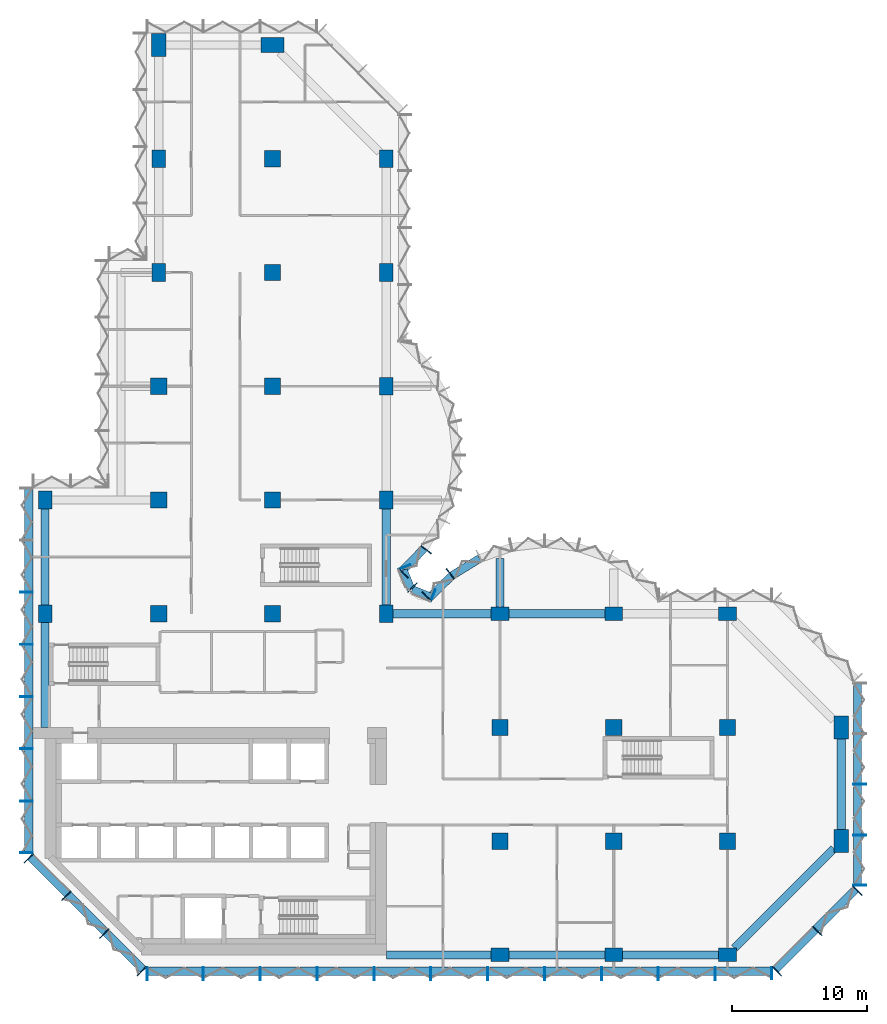
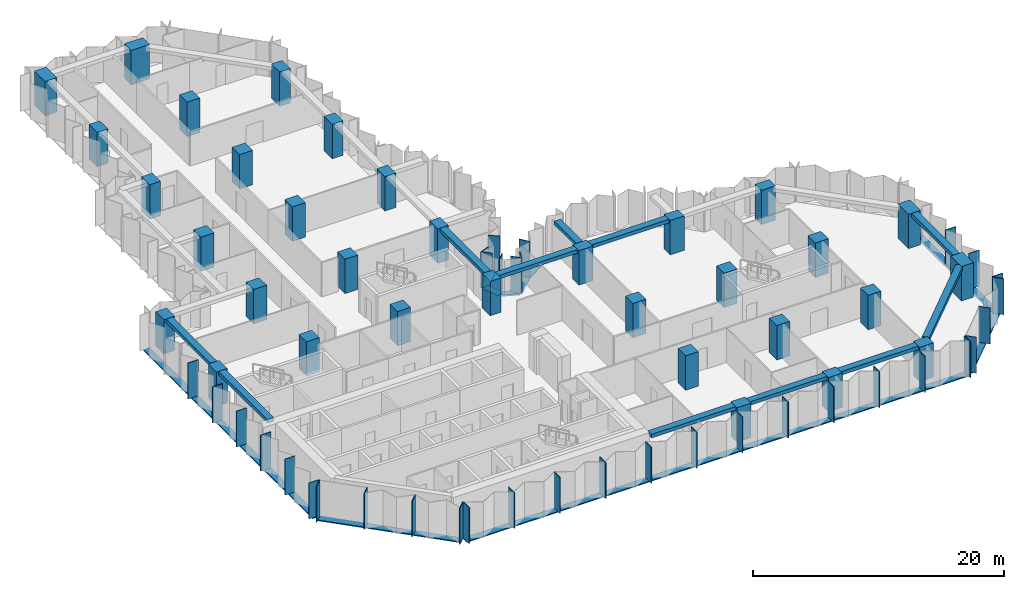
# One storey, part 1 of 11: 45 members, 33 columns, 11 beams, 8 elements without a shape of their own.
"""IFC4 building model written with IfcOpenShell, lengths in metres."""

from ifc_helpers import new_model, si_unit, direction, frame, origin, origin_2d, place, context, subcontext, project, spatial, rectangle, extrude, material, material_profile, profile_set, type_object, element, aggregate, save


model = new_model("IFC4")

# Units and contexts
model_context = context("Model", 3, precision=1e-05, world=origin(), true_north=direction((0.0, 1.0)))
body_context = subcontext(model_context, "Body", "Model", "MODEL_VIEW")
ifc_project = project(units=[si_unit("LENGTHUNIT", "METRE"), si_unit("AREAUNIT", "SQUARE_METRE"), si_unit("VOLUMEUNIT", "CUBIC_METRE"), si_unit("PLANEANGLEUNIT", "RADIAN"), si_unit("MASSUNIT", "GRAM", prefix="KILO")], contexts=[model_context])

# Site, building, storey
site_placement = place(None, origin())
site = spatial("IfcSite", under=ifc_project, at=site_placement, CompositionType="ELEMENT")
building_placement = place(site_placement, origin())
building = spatial("IfcBuilding", under=site, at=building_placement, Name="Brevane Broadcast Tower", CompositionType="ELEMENT")
storey_placement = place(building_placement, frame((0.0, 0.0, 142.10009765625)))
storey = spatial("IfcBuildingStorey", under=building, at=storey_placement, Name="L35", CompositionType="ELEMENT", Elevation=142.10009765625)

# Columns
ifc_material_1 = material(Name="Concrete C60/75", Category="concrete")
ifc_material_profile_1 = material_profile(ifc_material_1, rectangle(XDim=1.0, YDim=1.300048828125, at=origin_2d()), Name="RC 1000x1300")
ifc_profile_set_1 = profile_set([ifc_material_profile_1], Name="Concrete C60/75")
column_type_1 = type_object("IfcColumnType", Name="RC COLUMN EDGE 1000x1300 C60/75", PredefinedType="COLUMN", material=ifc_profile_set_1)
for number, where, z_axis, x_axis, name in (
    (1, (0.0, 25.199951171875, 0.0), (0.0, 0.0, 1.0), (1.0, 0.0, 0.0), "CE8 1/D"),
    (2, (0.0, 33.60009765625, 0.0), (0.0, 0.0, 1.0), (1.0, 0.0, 0.0), "CE8 1/E"),
    (3, (8.39990234375, 50.39990234375, 0.0), (0.0, 0.0, 1.0), (1.0, 0.0, 0.0), "CE8 2/G"),
    (4, (8.39990234375, 58.800048828125, 0.0), (0.0, 0.0, 1.0), (1.0, 0.0, 0.0), "CE8 2/H"),
    (5, (25.199951171875, 25.199951171875, 0.0), (0.0, 0.0, 1.0), (1.0, 0.0, 0.0), "CE8 4/D"),
    (6, (25.199951171875, 33.60009765625, 0.0), (0.0, 0.0, 1.0), (1.0, 0.0, 0.0), "CE8 4/E"),
    (7, (25.199951171875, 42.0, 0.0), (0.0, 0.0, 1.0), (1.0, 0.0, 0.0), "CE8 4/F"),
    (8, (25.199951171875, 50.39990234375, 0.0), (0.0, 0.0, 1.0), (1.0, 0.0, 0.0), "CE8 4/G"),
    (9, (25.199951171875, 58.800048828125, 0.0), (0.0, 0.0, 1.0), (1.0, 0.0, 0.0), "CE8 4/H"),
    (10, (33.60009765625, 0.0, 0.0), (0.0, 0.0, 1.0), (0.0, 1.0, 0.0), "CE8 5/A"),
    (11, (33.60009765625, 25.199951171875, 0.0), (0.0, 0.0, 1.0), (0.0, 1.0, 0.0), "CE8 5/D"),
    (12, (42.0, 0.0, 0.0), (0.0, 0.0, 1.0), (0.0, 1.0, 0.0), "CE8 6/A"),
    (13, (42.0, 25.199951171875, 0.0), (0.0, 0.0, 1.0), (0.0, 1.0, 0.0), "CE8 6/D"),
    (14, (50.39990234375, 0.0, 0.0), (0.0, 0.0, 1.0), (0.0, 1.0, 0.0), "CE8 7/A"),
    (15, (50.39990234375, 25.199951171875, 0.0), (0.0, 0.0, 1.0), (0.0, 1.0, 0.0), "CE8 7/D"),
):
    element("IfcColumn", number, at=place(storey_placement, frame(where, z_axis=z_axis, x_axis=x_axis)), inside=storey, type_object=column_type_1, Name=name, PredefinedType="COLUMN", context=body_context, shape_type="SweptSolid", body=[
        extrude(rectangle(XDim=1.0, YDim=1.300048828125, at=origin_2d()), origin(), (0.0, 0.0, 1.0), 3.349853515625),
    ])
ifc_material_profile_2 = material_profile(ifc_material_1, rectangle(XDim=1.199951171875, YDim=1.199951171875, at=origin_2d()), Name="RC 1200x1200")
ifc_profile_set_2 = profile_set([ifc_material_profile_2], Name="Concrete C60/75")
column_type_2 = type_object("IfcColumnType", Name="RC COLUMN INTERIOR 1200x1200 C60/75", PredefinedType="COLUMN", material=ifc_profile_set_2)
for number, where, z_axis, x_axis, name in (
    (16, (8.39990234375, 25.199951171875, 0.0), (0.0, 0.0, 1.0), (1.0, 0.0, 0.0), "CI9 2/D"),
    (17, (8.39990234375, 33.60009765625, 0.0), (0.0, 0.0, 1.0), (1.0, 0.0, 0.0), "CI9 2/E"),
    (18, (8.39990234375, 42.0, 0.0), (0.0, 0.0, 1.0), (1.0, 0.0, 0.0), "CI9 2/F"),
    (19, (16.800048828125, 25.199951171875, 0.0), (0.0, 0.0, 1.0), (1.0, 0.0, 0.0), "CI9 3/D"),
    (20, (16.800048828125, 33.60009765625, 0.0), (0.0, 0.0, 1.0), (1.0, 0.0, 0.0), "CI9 3/E"),
    (21, (16.800048828125, 42.0, 0.0), (0.0, 0.0, 1.0), (1.0, 0.0, 0.0), "CI9 3/F"),
    (22, (16.800048828125, 50.39990234375, 0.0), (0.0, 0.0, 1.0), (1.0, 0.0, 0.0), "CI9 3/G"),
    (23, (16.800048828125, 58.800048828125, 0.0), (0.0, 0.0, 1.0), (1.0, 0.0, 0.0), "CI9 3/H"),
    (24, (33.60009765625, 8.39990234375, 0.0), (0.0, 0.0, 1.0), (1.0, 0.0, 0.0), "CI9 5/B"),
    (25, (33.60009765625, 16.800048828125, 0.0), (0.0, 0.0, 1.0), (1.0, 0.0, 0.0), "CI9 5/C"),
    (26, (42.0, 8.39990234375, 0.0), (0.0, 0.0, 1.0), (1.0, 0.0, 0.0), "CI9 6/B"),
    (27, (42.0, 16.800048828125, 0.0), (0.0, 0.0, 1.0), (1.0, 0.0, 0.0), "CI9 6/C"),
    (28, (50.39990234375, 8.39990234375, 0.0), (0.0, 0.0, 1.0), (1.0, 0.0, 0.0), "CI9 7/B"),
    (29, (50.39990234375, 16.800048828125, 0.0), (0.0, 0.0, 1.0), (1.0, 0.0, 0.0), "CI9 7/C"),
):
    element("IfcColumn", number, at=place(storey_placement, frame(where, z_axis=z_axis, x_axis=x_axis)), inside=storey, type_object=column_type_2, Name=name, PredefinedType="COLUMN", context=body_context, shape_type="SweptSolid", body=[
        extrude(rectangle(XDim=1.199951171875, YDim=1.199951171875, at=origin_2d()), origin(), (0.0, 0.0, 1.0), 3.349853515625),
    ])
ifc_material_profile_3 = material_profile(ifc_material_1, rectangle(XDim=1.10009765625, YDim=1.699951171875, at=origin_2d()), Name="RC 1100x1700")
ifc_profile_set_3 = profile_set([ifc_material_profile_3], Name="Concrete C60/75")
column_type_3 = type_object("IfcColumnType", Name="RC COLUMN WING-END 1100x1700 C60/75", PredefinedType="COLUMN", material=ifc_profile_set_3)
for number, where, z_axis, x_axis, name in (
    (30, (8.39990234375, 67.199951171875, 0.0), (0.0, 0.0, 1.0), (1.0, 0.0, 0.0), "CW10 2/I"),
    (31, (16.800048828125, 67.199951171875, 0.0), (0.0, 0.0, 1.0), (0.0, 1.0, 0.0), "CW10 3/I"),
    (32, (58.800048828125, 8.39990234375, 0.0), (0.0, 0.0, 1.0), (1.0, 0.0, 0.0), "CW10 8/B"),
    (33, (58.800048828125, 16.800048828125, 0.0), (0.0, 0.0, 1.0), (1.0, 0.0, 0.0), "CW10 8/C"),
):
    element("IfcColumn", number, at=place(storey_placement, frame(where, z_axis=z_axis, x_axis=x_axis)), inside=storey, type_object=column_type_3, Name=name, PredefinedType="COLUMN", context=body_context, shape_type="SweptSolid", body=[
        extrude(rectangle(XDim=1.10009765625, YDim=1.699951171875, at=origin_2d()), origin(), (0.0, 0.0, 1.0), 3.349853515625),
    ])

# Curtain wall, members
ifc_material_2 = material(Name="Aluminium 6063-T6 bronze anodised", Category="aluminium")
curtain_wall_type = type_object("IfcCurtainWallType", Name="CW-1 curtain wall", PredefinedType="NOTDEFINED", material=ifc_material_2)
curtain_wall_1_placement = place(storey_placement, origin())
curtain_wall_1 = element("IfcCurtainWall", 34, at=curtain_wall_1_placement, inside=storey, type_object=curtain_wall_type, Name="CW-1 typical tilted unit L35 south face", PredefinedType="NOTDEFINED")
ifc_material_profile_4 = material_profile(ifc_material_2, rectangle(XDim=0.949951171875, YDim=0.070068359375, at=origin_2d()), Name="RECT 70x950")
ifc_profile_set_4 = profile_set([ifc_material_profile_4], Name="Aluminium 6063-T6 bronze anodised")
member_type_1 = type_object("IfcMemberType", Name="CW-1 mullion 70x950", PredefinedType="MULLION", material=ifc_profile_set_4)
member_1_placement = place(storey_placement, frame((7.534912109375, -1.375, -0.150146484375), z_axis=(0.0, 0.0, 1.0), x_axis=(0.0, 1.0, 0.0)))
member_1 = element("IfcMember", 35, at=member_1_placement, type_object=member_type_1, Name="CW-1 mullion", PredefinedType="MULLION", context=body_context, shape_type="SweptSolid", body=[
    extrude(rectangle(XDim=0.949951171875, YDim=0.070068359375, at=origin_2d()), origin(), (0.0, 0.0, 1.0), 3.5),
])
member_2_placement = place(storey_placement, frame((11.699951171875, -1.375, -0.150146484375), z_axis=(0.0, 0.0, 1.0), x_axis=(0.0, 1.0, 0.0)))
member_2 = element("IfcMember", 36, at=member_2_placement, type_object=member_type_1, Name="CW-1 mullion", PredefinedType="MULLION", context=body_context, shape_type="SweptSolid", body=[
    extrude(rectangle(XDim=0.949951171875, YDim=0.070068359375, at=origin_2d()), origin(), (0.0, 0.0, 1.0), 3.5),
])
member_3_placement = place(storey_placement, frame((15.89990234375, -1.375, -0.150146484375), z_axis=(0.0, 0.0, 1.0), x_axis=(0.0, 1.0, 0.0)))
member_3 = element("IfcMember", 37, at=member_3_placement, type_object=member_type_1, Name="CW-1 mullion", PredefinedType="MULLION", context=body_context, shape_type="SweptSolid", body=[
    extrude(rectangle(XDim=0.949951171875, YDim=0.070068359375, at=origin_2d()), origin(), (0.0, 0.0, 1.0), 3.5),
])
member_4_placement = place(storey_placement, frame((20.10009765625, -1.375, -0.150146484375), z_axis=(0.0, 0.0, 1.0), x_axis=(0.0, 1.0, 0.0)))
member_4 = element("IfcMember", 38, at=member_4_placement, type_object=member_type_1, Name="CW-1 mullion", PredefinedType="MULLION", context=body_context, shape_type="SweptSolid", body=[
    extrude(rectangle(XDim=0.949951171875, YDim=0.070068359375, at=origin_2d()), origin(), (0.0, 0.0, 1.0), 3.5),
])
member_5_placement = place(storey_placement, frame((24.300048828125, -1.375, -0.150146484375), z_axis=(0.0, 0.0, 1.0), x_axis=(0.0, 1.0, 0.0)))
member_5 = element("IfcMember", 39, at=member_5_placement, type_object=member_type_1, Name="CW-1 mullion", PredefinedType="MULLION", context=body_context, shape_type="SweptSolid", body=[
    extrude(rectangle(XDim=0.949951171875, YDim=0.070068359375, at=origin_2d()), origin(), (0.0, 0.0, 1.0), 3.5),
])
member_6_placement = place(storey_placement, frame((28.5, -1.375, -0.150146484375), z_axis=(0.0, 0.0, 1.0), x_axis=(0.0, 1.0, 0.0)))
member_6 = element("IfcMember", 40, at=member_6_placement, type_object=member_type_1, Name="CW-1 mullion", PredefinedType="MULLION", context=body_context, shape_type="SweptSolid", body=[
    extrude(rectangle(XDim=0.949951171875, YDim=0.070068359375, at=origin_2d()), origin(), (0.0, 0.0, 1.0), 3.5),
])
member_7_placement = place(storey_placement, frame((32.699951171875, -1.375, -0.150146484375), z_axis=(0.0, 0.0, 1.0), x_axis=(0.0, 1.0, 0.0)))
member_7 = element("IfcMember", 41, at=member_7_placement, type_object=member_type_1, Name="CW-1 mullion", PredefinedType="MULLION", context=body_context, shape_type="SweptSolid", body=[
    extrude(rectangle(XDim=0.949951171875, YDim=0.070068359375, at=origin_2d()), origin(), (0.0, 0.0, 1.0), 3.5),
])
member_8_placement = place(storey_placement, frame((36.89990234375, -1.375, -0.150146484375), z_axis=(0.0, 0.0, 1.0), x_axis=(0.0, 1.0, 0.0)))
member_8 = element("IfcMember", 42, at=member_8_placement, type_object=member_type_1, Name="CW-1 mullion", PredefinedType="MULLION", context=body_context, shape_type="SweptSolid", body=[
    extrude(rectangle(XDim=0.949951171875, YDim=0.070068359375, at=origin_2d()), origin(), (0.0, 0.0, 1.0), 3.5),
])
member_9_placement = place(storey_placement, frame((41.10009765625, -1.375, -0.150146484375), z_axis=(0.0, 0.0, 1.0), x_axis=(0.0, 1.0, 0.0)))
member_9 = element("IfcMember", 43, at=member_9_placement, type_object=member_type_1, Name="CW-1 mullion", PredefinedType="MULLION", context=body_context, shape_type="SweptSolid", body=[
    extrude(rectangle(XDim=0.949951171875, YDim=0.070068359375, at=origin_2d()), origin(), (0.0, 0.0, 1.0), 3.5),
])
member_10_placement = place(storey_placement, frame((45.300048828125, -1.375, -0.150146484375), z_axis=(0.0, 0.0, 1.0), x_axis=(0.0, 1.0, 0.0)))
member_10 = element("IfcMember", 44, at=member_10_placement, type_object=member_type_1, Name="CW-1 mullion", PredefinedType="MULLION", context=body_context, shape_type="SweptSolid", body=[
    extrude(rectangle(XDim=0.949951171875, YDim=0.070068359375, at=origin_2d()), origin(), (0.0, 0.0, 1.0), 3.5),
])
member_11_placement = place(storey_placement, frame((49.5, -1.375, -0.150146484375), z_axis=(0.0, 0.0, 1.0), x_axis=(0.0, 1.0, 0.0)))
member_11 = element("IfcMember", 45, at=member_11_placement, type_object=member_type_1, Name="CW-1 mullion", PredefinedType="MULLION", context=body_context, shape_type="SweptSolid", body=[
    extrude(rectangle(XDim=0.949951171875, YDim=0.070068359375, at=origin_2d()), origin(), (0.0, 0.0, 1.0), 3.5),
])
member_12_placement = place(storey_placement, frame((53.6650390625, -1.375, -0.150146484375), z_axis=(0.0, 0.0, 1.0), x_axis=(0.0, 1.0, 0.0)))
member_12 = element("IfcMember", 46, at=member_12_placement, type_object=member_type_1, Name="CW-1 mullion", PredefinedType="MULLION", context=body_context, shape_type="SweptSolid", body=[
    extrude(rectangle(XDim=0.949951171875, YDim=0.070068359375, at=origin_2d()), origin(), (0.0, 0.0, 1.0), 3.5),
])

curtain_wall_2_placement = place(storey_placement, origin())
curtain_wall_2 = element("IfcCurtainWall", 47, at=curtain_wall_2_placement, inside=storey, type_object=curtain_wall_type, Name="CW-1 typical tilted unit L35 south-east chamfer", PredefinedType="NOTDEFINED")
member_13_placement = place(storey_placement, frame((54.060546875, -1.211181640625, -0.150146484375), z_axis=(0.0, 0.0, 1.0), x_axis=(-0.707106781187, 0.707106781187, 0.0)))
member_13 = element("IfcMember", 48, at=member_13_placement, type_object=member_type_1, Name="CW-1 mullion", PredefinedType="MULLION", context=body_context, shape_type="SweptSolid", body=[
    extrude(rectangle(XDim=0.949951171875, YDim=0.070068359375, at=origin_2d()), origin(), (0.0, 0.0, 1.0), 3.5),
])
member_14_placement = place(storey_placement, frame((57.035888671875, 1.76416015625, -0.150146484375), z_axis=(0.0, 0.0, 1.0), x_axis=(-0.707106781187, 0.707106781187, 0.0)))
member_14 = element("IfcMember", 49, at=member_14_placement, type_object=member_type_1, Name="CW-1 mullion", PredefinedType="MULLION", context=body_context, shape_type="SweptSolid", body=[
    extrude(rectangle(XDim=0.949951171875, YDim=0.070068359375, at=origin_2d()), origin(), (0.0, 0.0, 1.0), 3.5),
])
member_15_placement = place(storey_placement, frame((60.01123046875, 4.7392578125, -0.150146484375), z_axis=(0.0, 0.0, 1.0), x_axis=(-0.707106781187, 0.707106781187, 0.0)))
member_15 = element("IfcMember", 50, at=member_15_placement, type_object=member_type_1, Name="CW-1 mullion", PredefinedType="MULLION", context=body_context, shape_type="SweptSolid", body=[
    extrude(rectangle(XDim=0.949951171875, YDim=0.070068359375, at=origin_2d()), origin(), (0.0, 0.0, 1.0), 3.5),
])

curtain_wall_3_placement = place(storey_placement, origin())
curtain_wall_3 = element("IfcCurtainWall", 51, at=curtain_wall_3_placement, inside=storey, type_object=curtain_wall_type, Name="CW-1 typical tilted unit L35 east end", PredefinedType="NOTDEFINED")
member_16_placement = place(storey_placement, frame((60.175048828125, 5.135009765625, -0.150146484375), z_axis=(0.0, 0.0, 1.0), x_axis=(-1.0, 0.0, 0.0)))
member_16 = element("IfcMember", 52, at=member_16_placement, type_object=member_type_1, Name="CW-1 mullion", PredefinedType="MULLION", context=body_context, shape_type="SweptSolid", body=[
    extrude(rectangle(XDim=0.949951171875, YDim=0.070068359375, at=origin_2d()), origin(), (0.0, 0.0, 1.0), 3.5),
])
member_17_placement = place(storey_placement, frame((60.175048828125, 8.85009765625, -0.150146484375), z_axis=(0.0, 0.0, 1.0), x_axis=(-1.0, 0.0, 0.0)))
member_17 = element("IfcMember", 53, at=member_17_placement, type_object=member_type_1, Name="CW-1 mullion", PredefinedType="MULLION", context=body_context, shape_type="SweptSolid", body=[
    extrude(rectangle(XDim=0.949951171875, YDim=0.070068359375, at=origin_2d()), origin(), (0.0, 0.0, 1.0), 3.5),
])
member_18_placement = place(storey_placement, frame((60.175048828125, 12.60009765625, -0.150146484375), z_axis=(0.0, 0.0, 1.0), x_axis=(-1.0, 0.0, 0.0)))
member_18 = element("IfcMember", 54, at=member_18_placement, type_object=member_type_1, Name="CW-1 mullion", PredefinedType="MULLION", context=body_context, shape_type="SweptSolid", body=[
    extrude(rectangle(XDim=0.949951171875, YDim=0.070068359375, at=origin_2d()), origin(), (0.0, 0.0, 1.0), 3.5),
])

curtain_wall_4_placement = place(storey_placement, origin())
curtain_wall_4 = element("IfcCurtainWall", 55, at=curtain_wall_4_placement, inside=storey, type_object=curtain_wall_type, Name="CW-1 typical tilted unit L35 east bow", PredefinedType="NOTDEFINED")
member_19_placement = place(storey_placement, frame((29.927978515625, 28.1455078125, -0.150146484375), z_axis=(0.0, 0.0, 1.0), x_axis=(0.614769738617, -0.788706642853, 0.0)))
member_19 = element("IfcMember", 56, at=member_19_placement, type_object=member_type_1, Name="CW-1 mullion", PredefinedType="MULLION", context=body_context, shape_type="SweptSolid", body=[
    extrude(rectangle(XDim=0.949951171875, YDim=0.070068359375, at=origin_2d()), origin(), (0.0, 0.0, 1.0), 3.5),
])
member_20_placement = place(storey_placement, frame((28.194091796875, 26.465087890625, -0.150146484375), z_axis=(0.0, 0.0, 1.0), x_axis=(0.696811941702, -0.717253872699, 0.0)))
member_20 = element("IfcMember", 57, at=member_20_placement, type_object=member_type_1, Name="CW-1 mullion", PredefinedType="MULLION", context=body_context, shape_type="SweptSolid", body=[
    extrude(rectangle(XDim=0.949951171875, YDim=0.070068359375, at=origin_2d()), origin(), (0.0, 0.0, 1.0), 3.5),
])

curtain_wall_5_placement = place(storey_placement, origin())
curtain_wall_5 = element("IfcCurtainWall", 58, at=curtain_wall_5_placement, inside=storey, type_object=curtain_wall_type, Name="CW-1 typical tilted unit L35 inner corner", PredefinedType="NOTDEFINED")
member_21_placement = place(storey_placement, frame((28.6494140625, 26.55224609375, -0.150146484375), z_axis=(0.0, 0.0, 1.0), x_axis=(-0.382683612978, -0.923879457699, 0.0)))
member_21 = element("IfcMember", 59, at=member_21_placement, type_object=member_type_1, Name="CW-1 mullion", PredefinedType="MULLION", context=body_context, shape_type="SweptSolid", body=[
    extrude(rectangle(XDim=0.949951171875, YDim=0.070068359375, at=origin_2d()), origin(), (0.0, 0.0, 1.0), 3.5),
])
member_22_placement = place(storey_placement, frame((27.138916015625, 27.138916015625, -0.150146484375), z_axis=(0.0, 0.0, 1.0), x_axis=(-0.707106781187, -0.707106781187, 0.0)))
member_22 = element("IfcMember", 60, at=member_22_placement, type_object=member_type_1, Name="CW-1 mullion", PredefinedType="MULLION", context=body_context, shape_type="SweptSolid", body=[
    extrude(rectangle(XDim=0.949951171875, YDim=0.070068359375, at=origin_2d()), origin(), (0.0, 0.0, 1.0), 3.5),
])
member_23_placement = place(storey_placement, frame((26.55224609375, 28.6494140625, -0.150146484375), z_axis=(0.0, 0.0, 1.0), x_axis=(-0.923879457699, -0.382683612978, 0.0)))
member_23 = element("IfcMember", 61, at=member_23_placement, type_object=member_type_1, Name="CW-1 mullion", PredefinedType="MULLION", context=body_context, shape_type="SweptSolid", body=[
    extrude(rectangle(XDim=0.949951171875, YDim=0.070068359375, at=origin_2d()), origin(), (0.0, 0.0, 1.0), 3.5),
])

curtain_wall_6_placement = place(storey_placement, origin())
curtain_wall_6 = element("IfcCurtainWall", 62, at=curtain_wall_6_placement, inside=storey, type_object=curtain_wall_type, Name="CW-1 typical tilted unit L35 north bow", PredefinedType="NOTDEFINED")
member_24_placement = place(storey_placement, frame((26.465087890625, 28.194091796875, -0.150146484375), z_axis=(0.0, 0.0, 1.0), x_axis=(-0.717253872699, 0.696811941702, 0.0)))
member_24 = element("IfcMember", 63, at=member_24_placement, type_object=member_type_1, Name="CW-1 mullion", PredefinedType="MULLION", context=body_context, shape_type="SweptSolid", body=[
    extrude(rectangle(XDim=0.949951171875, YDim=0.070068359375, at=origin_2d()), origin(), (0.0, 0.0, 1.0), 3.5),
])
member_25_placement = place(storey_placement, frame((28.1455078125, 29.927978515625, -0.150146484375), z_axis=(0.0, 0.0, 1.0), x_axis=(-0.788706642853, 0.614769738617, 0.0)))
member_25 = element("IfcMember", 64, at=member_25_placement, type_object=member_type_1, Name="CW-1 mullion", PredefinedType="MULLION", context=body_context, shape_type="SweptSolid", body=[
    extrude(rectangle(XDim=0.949951171875, YDim=0.070068359375, at=origin_2d()), origin(), (0.0, 0.0, 1.0), 3.5),
])

curtain_wall_7_placement = place(storey_placement, origin())
curtain_wall_7 = element("IfcCurtainWall", 65, at=curtain_wall_7_placement, inside=storey, type_object=curtain_wall_type, Name="CW-1 typical tilted unit L35 west face", PredefinedType="NOTDEFINED")
member_26_placement = place(storey_placement, frame((-1.375, 26.78564453125, -0.150146484375), z_axis=(0.0, 0.0, 1.0), x_axis=(1.0, 0.0, 0.0)))
member_26 = element("IfcMember", 66, at=member_26_placement, type_object=member_type_1, Name="CW-1 mullion", PredefinedType="MULLION", context=body_context, shape_type="SweptSolid", body=[
    extrude(rectangle(XDim=0.949951171875, YDim=0.070068359375, at=origin_2d()), origin(), (0.0, 0.0, 1.0), 3.5),
])
member_27_placement = place(storey_placement, frame((-1.375, 22.928466796875, -0.150146484375), z_axis=(0.0, 0.0, 1.0), x_axis=(1.0, 0.0, 0.0)))
member_27 = element("IfcMember", 67, at=member_27_placement, type_object=member_type_1, Name="CW-1 mullion", PredefinedType="MULLION", context=body_context, shape_type="SweptSolid", body=[
    extrude(rectangle(XDim=0.949951171875, YDim=0.070068359375, at=origin_2d()), origin(), (0.0, 0.0, 1.0), 3.5),
])
member_28_placement = place(storey_placement, frame((-1.375, 19.071533203125, -0.150146484375), z_axis=(0.0, 0.0, 1.0), x_axis=(1.0, 0.0, 0.0)))
member_28 = element("IfcMember", 68, at=member_28_placement, type_object=member_type_1, Name="CW-1 mullion", PredefinedType="MULLION", context=body_context, shape_type="SweptSolid", body=[
    extrude(rectangle(XDim=0.949951171875, YDim=0.070068359375, at=origin_2d()), origin(), (0.0, 0.0, 1.0), 3.5),
])
member_29_placement = place(storey_placement, frame((-1.375, 15.21435546875, -0.150146484375), z_axis=(0.0, 0.0, 1.0), x_axis=(1.0, 0.0, 0.0)))
member_29 = element("IfcMember", 69, at=member_29_placement, type_object=member_type_1, Name="CW-1 mullion", PredefinedType="MULLION", context=body_context, shape_type="SweptSolid", body=[
    extrude(rectangle(XDim=0.949951171875, YDim=0.070068359375, at=origin_2d()), origin(), (0.0, 0.0, 1.0), 3.5),
])
member_30_placement = place(storey_placement, frame((-1.375, 11.357177734375, -0.150146484375), z_axis=(0.0, 0.0, 1.0), x_axis=(1.0, 0.0, 0.0)))
member_30 = element("IfcMember", 70, at=member_30_placement, type_object=member_type_1, Name="CW-1 mullion", PredefinedType="MULLION", context=body_context, shape_type="SweptSolid", body=[
    extrude(rectangle(XDim=0.949951171875, YDim=0.070068359375, at=origin_2d()), origin(), (0.0, 0.0, 1.0), 3.5),
])
member_31_placement = place(storey_placement, frame((-1.375, 7.534912109375, -0.150146484375), z_axis=(0.0, 0.0, 1.0), x_axis=(1.0, 0.0, 0.0)))
member_31 = element("IfcMember", 71, at=member_31_placement, type_object=member_type_1, Name="CW-1 mullion", PredefinedType="MULLION", context=body_context, shape_type="SweptSolid", body=[
    extrude(rectangle(XDim=0.949951171875, YDim=0.070068359375, at=origin_2d()), origin(), (0.0, 0.0, 1.0), 3.5),
])

curtain_wall_8_placement = place(storey_placement, origin())
curtain_wall_8 = element("IfcCurtainWall", 72, at=curtain_wall_8_placement, inside=storey, type_object=curtain_wall_type, Name="CW-1 typical tilted unit L35 south-west chamfer", PredefinedType="NOTDEFINED")
member_32_placement = place(storey_placement, frame((-1.211181640625, 7.139404296875, -0.150146484375), z_axis=(0.0, 0.0, 1.0), x_axis=(0.707106781187, 0.707106781187, 0.0)))
member_32 = element("IfcMember", 73, at=member_32_placement, type_object=member_type_1, Name="CW-1 mullion", PredefinedType="MULLION", context=body_context, shape_type="SweptSolid", body=[
    extrude(rectangle(XDim=0.949951171875, YDim=0.070068359375, at=origin_2d()), origin(), (0.0, 0.0, 1.0), 3.5),
])
member_33_placement = place(storey_placement, frame((1.564208984375, 4.364013671875, -0.150146484375), z_axis=(0.0, 0.0, 1.0), x_axis=(0.707106781187, 0.707106781187, 0.0)))
member_33 = element("IfcMember", 74, at=member_33_placement, type_object=member_type_1, Name="CW-1 mullion", PredefinedType="MULLION", context=body_context, shape_type="SweptSolid", body=[
    extrude(rectangle(XDim=0.949951171875, YDim=0.070068359375, at=origin_2d()), origin(), (0.0, 0.0, 1.0), 3.5),
])
member_34_placement = place(storey_placement, frame((4.364013671875, 1.564208984375, -0.150146484375), z_axis=(0.0, 0.0, 1.0), x_axis=(0.707106781187, 0.707106781187, 0.0)))
member_34 = element("IfcMember", 75, at=member_34_placement, type_object=member_type_1, Name="CW-1 mullion", PredefinedType="MULLION", context=body_context, shape_type="SweptSolid", body=[
    extrude(rectangle(XDim=0.949951171875, YDim=0.070068359375, at=origin_2d()), origin(), (0.0, 0.0, 1.0), 3.5),
])
member_35_placement = place(storey_placement, frame((7.139404296875, -1.211181640625, -0.150146484375), z_axis=(0.0, 0.0, 1.0), x_axis=(0.707106781187, 0.707106781187, 0.0)))
member_35 = element("IfcMember", 76, at=member_35_placement, type_object=member_type_1, Name="CW-1 mullion", PredefinedType="MULLION", context=body_context, shape_type="SweptSolid", body=[
    extrude(rectangle(XDim=0.949951171875, YDim=0.070068359375, at=origin_2d()), origin(), (0.0, 0.0, 1.0), 3.5),
])

# Member
ifc_material_profile_5 = material_profile(ifc_material_2, rectangle(XDim=0.60009765625, YDim=0.10009765625, at=origin_2d()), Name="RECT 100x600")
ifc_profile_set_5 = profile_set([ifc_material_profile_5], Name="Aluminium 6063-T6 bronze anodised")
member_type_2 = type_object("IfcMemberType", Name="CW-1 transom 100x600", PredefinedType="USERDEFINED", material=ifc_profile_set_5)
member_36_placement = place(storey_placement, frame((7.5, -1.199951171875, -0.2001953125), z_axis=(1.0, 0.0, 0.0), x_axis=(0.0, 1.0, 0.0)))
member_36 = element("IfcMember", 77, at=member_36_placement, type_object=member_type_2, Name="CW-1 transom", ObjectType="TRANSOM", PredefinedType="USERDEFINED", context=body_context, shape_type="SweptSolid", body=[
    extrude(rectangle(XDim=0.60009765625, YDim=0.10009765625, at=origin_2d()), origin(), (0.0, 0.0, 1.0), 46.199951171875),
])

aggregate(curtain_wall_1, [member_1, member_2, member_3, member_4, member_5, member_6, member_7, member_8, member_9, member_10, member_11, member_12, member_36])

member_37_placement = place(storey_placement, frame((53.912109375, -1.112060546875, -0.2001953125), z_axis=(0.707106781187, 0.707106781187, 0.0), x_axis=(-0.707106781187, 0.707106781187, 0.0)))
member_37 = element("IfcMember", 78, at=member_37_placement, type_object=member_type_2, Name="CW-1 transom", ObjectType="TRANSOM", PredefinedType="USERDEFINED", context=body_context, shape_type="SweptSolid", body=[
    extrude(rectangle(XDim=0.60009765625, YDim=0.10009765625, at=origin_2d()), origin(), (0.0, 0.0, 1.0), 8.4853515625),
])

aggregate(curtain_wall_2, [member_13, member_14, member_15, member_37])

member_38_placement = place(storey_placement, frame((60.0, 5.10009765625, -0.2001953125), z_axis=(0.0, 1.0, 0.0), x_axis=(-1.0, 0.0, 0.0)))
member_38 = element("IfcMember", 79, at=member_38_placement, type_object=member_type_2, Name="CW-1 transom", ObjectType="TRANSOM", PredefinedType="USERDEFINED", context=body_context, shape_type="SweptSolid", body=[
    extrude(rectangle(XDim=0.60009765625, YDim=0.10009765625, at=origin_2d()), origin(), (0.0, 0.0, 1.0), 15.0),
])

aggregate(curtain_wall_3, [member_16, member_17, member_18, member_38])

member_39_placement = place(storey_placement, frame((32.09521484375, 29.281494140625, -0.2001953125), z_axis=(-0.850838211365, -0.525427766759, 0.0), x_axis=(0.525427766759, -0.850838211365, 0.0)))
member_39 = element("IfcMember", 80, at=member_39_placement, type_object=member_type_2, Name="CW-1 transom", ObjectType="TRANSOM", PredefinedType="USERDEFINED", context=body_context, shape_type="SweptSolid", body=[
    extrude(rectangle(XDim=0.60009765625, YDim=0.10009765625, at=origin_2d()), origin(), (0.0, 0.0, 1.0), 2.394775390625),
])

member_40_placement = place(storey_placement, frame((29.99951171875, 27.974365234375, -0.2001953125), z_axis=(-0.71724215871, -0.696823999134, 0.0), x_axis=(0.696823999134, -0.71724215871, 0.0)))
member_40 = element("IfcMember", 81, at=member_40_placement, type_object=member_type_2, Name="CW-1 transom", ObjectType="TRANSOM", PredefinedType="USERDEFINED", context=body_context, shape_type="SweptSolid", body=[
    extrude(rectangle(XDim=0.60009765625, YDim=0.10009765625, at=origin_2d()), origin(), (0.0, 0.0, 1.0), 2.247802734375),
])

aggregate(curtain_wall_4, [member_19, member_20, member_39, member_40])

member_41_placement = place(storey_placement, frame((28.528076171875, 26.40673828125, -0.2001953125), z_axis=(-0.923883243627, 0.382674472816, 0.0), x_axis=(-0.382674472816, -0.923883243627, 0.0)))
member_41 = element("IfcMember", 82, at=member_41_placement, type_object=member_type_2, Name="CW-1 transom", ObjectType="TRANSOM", PredefinedType="USERDEFINED", context=body_context, shape_type="SweptSolid", body=[
    extrude(rectangle(XDim=0.60009765625, YDim=0.10009765625, at=origin_2d()), origin(), (0.0, 0.0, 1.0), 1.536865234375),
])

member_42_placement = place(storey_placement, frame((27.039794921875, 27.0, -0.2001953125), z_axis=(-0.382674472816, 0.923883243627, 0.0), x_axis=(-0.923883243627, -0.382674472816, 0.0)))
member_42 = element("IfcMember", 83, at=member_42_placement, type_object=member_type_2, Name="CW-1 transom", ObjectType="TRANSOM", PredefinedType="USERDEFINED", context=body_context, shape_type="SweptSolid", body=[
    extrude(rectangle(XDim=0.60009765625, YDim=0.10009765625, at=origin_2d()), origin(), (0.0, 0.0, 1.0), 1.536865234375),
])

aggregate(curtain_wall_5, [member_21, member_22, member_23, member_41, member_42])

member_43_placement = place(storey_placement, frame((26.407958984375, 28.38720703125, -0.2001953125), z_axis=(0.696823999134, 0.71724215871, 0.0), x_axis=(-0.71724215871, 0.696823999134, 0.0)))
member_43 = element("IfcMember", 84, at=member_43_placement, type_object=member_type_2, Name="CW-1 transom", ObjectType="TRANSOM", PredefinedType="USERDEFINED", context=body_context, shape_type="SweptSolid", body=[
    extrude(rectangle(XDim=0.60009765625, YDim=0.10009765625, at=origin_2d()), origin(), (0.0, 0.0, 1.0), 2.247802734375),
])

aggregate(curtain_wall_6, [member_24, member_25, member_43])

member_44_placement = place(storey_placement, frame((-1.199951171875, 34.5, -0.2001953125), z_axis=(0.0, -1.0, 0.0), x_axis=(1.0, 0.0, 0.0)))
member_44 = element("IfcMember", 85, at=member_44_placement, type_object=member_type_2, Name="CW-1 transom", ObjectType="TRANSOM", PredefinedType="USERDEFINED", context=body_context, shape_type="SweptSolid", body=[
    extrude(rectangle(XDim=0.60009765625, YDim=0.10009765625, at=origin_2d()), origin(), (0.0, 0.0, 1.0), 27.0),
])

aggregate(curtain_wall_7, [member_26, member_27, member_28, member_29, member_30, member_31, member_44])

member_45_placement = place(storey_placement, frame((-1.112060546875, 7.287841796875, -0.2001953125), z_axis=(0.707106781187, -0.707106781187, 0.0), x_axis=(0.707106781187, 0.707106781187, 0.0)))
member_45 = element("IfcMember", 86, at=member_45_placement, type_object=member_type_2, Name="CW-1 transom", ObjectType="TRANSOM", PredefinedType="USERDEFINED", context=body_context, shape_type="SweptSolid", body=[
    extrude(rectangle(XDim=0.60009765625, YDim=0.10009765625, at=origin_2d()), origin(), (0.0, 0.0, 1.0), 11.879150390625),
])

aggregate(curtain_wall_8, [member_32, member_33, member_34, member_35, member_45])

# Beams
ifc_material_3 = material(Name="Concrete C40/50", Category="concrete")
ifc_material_profile_6 = material_profile(ifc_material_3, rectangle(XDim=0.60009765625, YDim=0.35009765625, at=origin_2d()), Name="RC 600x350")
ifc_profile_set_6 = profile_set([ifc_material_profile_6], Name="Concrete C40/50")
beam_type_1 = type_object("IfcBeamType", Name="RC BRACKET BEAM 600x350 C40/50", PredefinedType="BEAM", material=ifc_profile_set_6)
beam_1_placement = place(storey_placement, frame((33.60009765625, 25.699951171875, 3.1748046875), z_axis=(0.0, 1.0, 0.0), x_axis=(-1.0, 0.0, 0.0)))
element("IfcBeam", 87, at=beam_1_placement, inside=storey, type_object=beam_type_1, Name="EB2 L35-3", PredefinedType="BEAM", context=body_context, shape_type="SweptSolid", body=[
    extrude(rectangle(XDim=0.60009765625, YDim=0.35009765625, at=origin_2d()), origin(), (0.0, 0.0, 1.0), 3.56201171875),
])
ifc_material_profile_7 = material_profile(ifc_material_3, rectangle(XDim=0.60009765625, YDim=0.35009765625, at=origin_2d()), Name="RC 600x350")
ifc_profile_set_7 = profile_set([ifc_material_profile_7], Name="Concrete C40/50")
beam_type_2 = type_object("IfcBeamType", Name="RC SPANDREL BEAM 600x350 C40/50", PredefinedType="SPANDREL", material=ifc_profile_set_7)
beam_2_placement = place(storey_placement, frame((25.199951171875, 0.0, 3.1748046875), z_axis=(1.0, 0.0, 0.0), x_axis=(0.0, 1.0, 0.0)))
element("IfcBeam", 88, at=beam_2_placement, inside=storey, type_object=beam_type_2, Name="EB1 L35-1", PredefinedType="SPANDREL", context=body_context, shape_type="SweptSolid", body=[
    extrude(rectangle(XDim=0.60009765625, YDim=0.35009765625, at=origin_2d()), origin(), (0.0, 0.0, 1.0), 7.75),
])
for number, where, z_axis, x_axis, name in (
    (89, (34.25, 0.0, 3.1748046875), (1.0, 0.0, 0.0), (0.0, 1.0, 0.0), "EB1 L35-2"),
    (90, (42.64990234375, 0.0, 3.1748046875), (1.0, 0.0, 0.0), (0.0, 1.0, 0.0), "EB1 L35-3"),
):
    element("IfcBeam", number, at=place(storey_placement, frame(where, z_axis=z_axis, x_axis=x_axis)), inside=storey, type_object=beam_type_2, Name=name, PredefinedType="SPANDREL", context=body_context, shape_type="SweptSolid", body=[
        extrude(rectangle(XDim=0.60009765625, YDim=0.35009765625, at=origin_2d()), origin(), (0.0, 0.0, 1.0), 7.10009765625),
    ])
beam_3_placement = place(storey_placement, frame((50.89990234375, 0.5, 3.1748046875), z_axis=(0.707106781187, 0.707106781187, 0.0), x_axis=(-0.707106781187, 0.707106781187, 0.0)))
element("IfcBeam", 91, at=beam_3_placement, inside=storey, type_object=beam_type_2, Name="EB1 L35-4", PredefinedType="SPANDREL", context=body_context, shape_type="SweptSolid", body=[
    extrude(rectangle(XDim=0.60009765625, YDim=0.35009765625, at=origin_2d()), origin(), (0.0, 0.0, 1.0), 10.39453125),
])
beam_4_placement = place(storey_placement, frame((58.800048828125, 9.25, 3.1748046875), z_axis=(0.0, 1.0, 0.0), x_axis=(-1.0, 0.0, 0.0)))
element("IfcBeam", 92, at=beam_4_placement, inside=storey, type_object=beam_type_2, Name="EB1 L35-5", PredefinedType="SPANDREL", context=body_context, shape_type="SweptSolid", body=[
    extrude(rectangle(XDim=0.60009765625, YDim=0.35009765625, at=origin_2d()), origin(), (0.0, 0.0, 1.0), 6.699951171875),
])
beam_5_placement = place(storey_placement, frame((41.35009765625, 25.199951171875, 3.1748046875), z_axis=(-1.0, 0.0, 0.0), x_axis=(0.0, -1.0, 0.0)))
element("IfcBeam", 93, at=beam_5_placement, inside=storey, type_object=beam_type_2, Name="EB1 L35-8", PredefinedType="SPANDREL", context=body_context, shape_type="SweptSolid", body=[
    extrude(rectangle(XDim=0.60009765625, YDim=0.35009765625, at=origin_2d()), origin(), (0.0, 0.0, 1.0), 7.10009765625),
])
beam_6_placement = place(storey_placement, frame((32.949951171875, 25.199951171875, 3.1748046875), z_axis=(-1.0, 0.0, 0.0), x_axis=(0.0, -1.0, 0.0)))
element("IfcBeam", 94, at=beam_6_placement, inside=storey, type_object=beam_type_2, Name="EB1 L35-9", PredefinedType="SPANDREL", context=body_context, shape_type="SweptSolid", body=[
    extrude(rectangle(XDim=0.60009765625, YDim=0.35009765625, at=origin_2d()), origin(), (0.0, 0.0, 1.0), 7.25),
])
for number, where, z_axis, x_axis, name in (
    (95, (25.199951171875, 25.85009765625, 3.1748046875), (0.0, 1.0, 0.0), (-1.0, 0.0, 0.0), "EB1 L35-10"),
    (96, (0.0, 32.949951171875, 3.1748046875), (0.0, -1.0, 0.0), (1.0, 0.0, 0.0), "EB1 L35-16"),
):
    element("IfcBeam", number, at=place(storey_placement, frame(where, z_axis=z_axis, x_axis=x_axis)), inside=storey, type_object=beam_type_2, Name=name, PredefinedType="SPANDREL", context=body_context, shape_type="SweptSolid", body=[
        extrude(rectangle(XDim=0.60009765625, YDim=0.35009765625, at=origin_2d()), origin(), (0.0, 0.0, 1.0), 7.099853515625),
    ])
beam_7_placement = place(storey_placement, frame((0.0, 24.550048828125, 3.1748046875), z_axis=(0.0, -1.0, 0.0), x_axis=(1.0, 0.0, 0.0)))
element("IfcBeam", 97, at=beam_7_placement, inside=storey, type_object=beam_type_2, Name="EB1 L35-17", PredefinedType="SPANDREL", context=body_context, shape_type="SweptSolid", body=[
    extrude(rectangle(XDim=0.60009765625, YDim=0.35009765625, at=origin_2d()), origin(), (0.0, 0.0, 1.0), 7.75),
])

save(model, "model.ifc")
